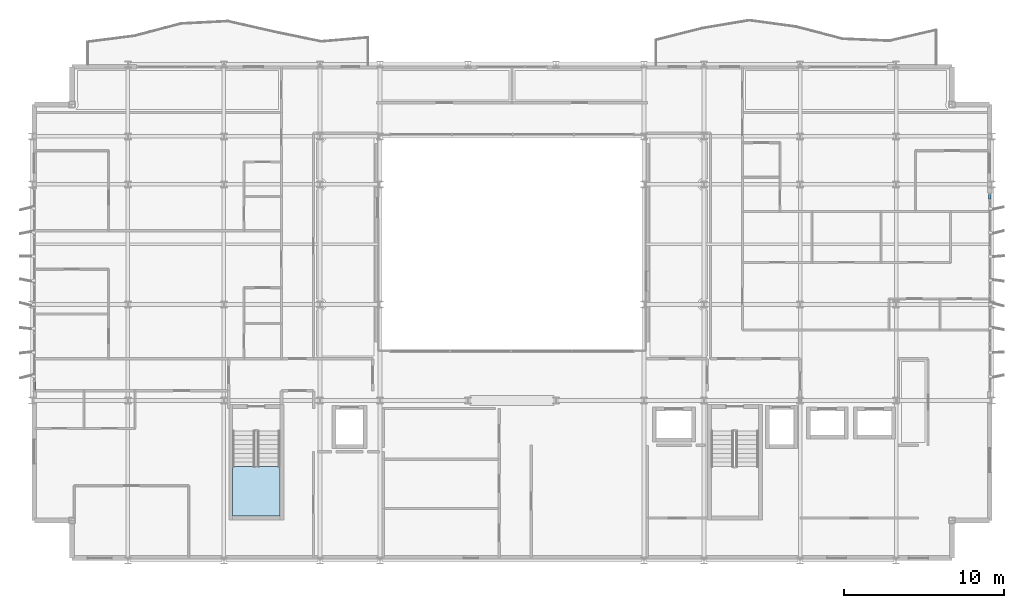
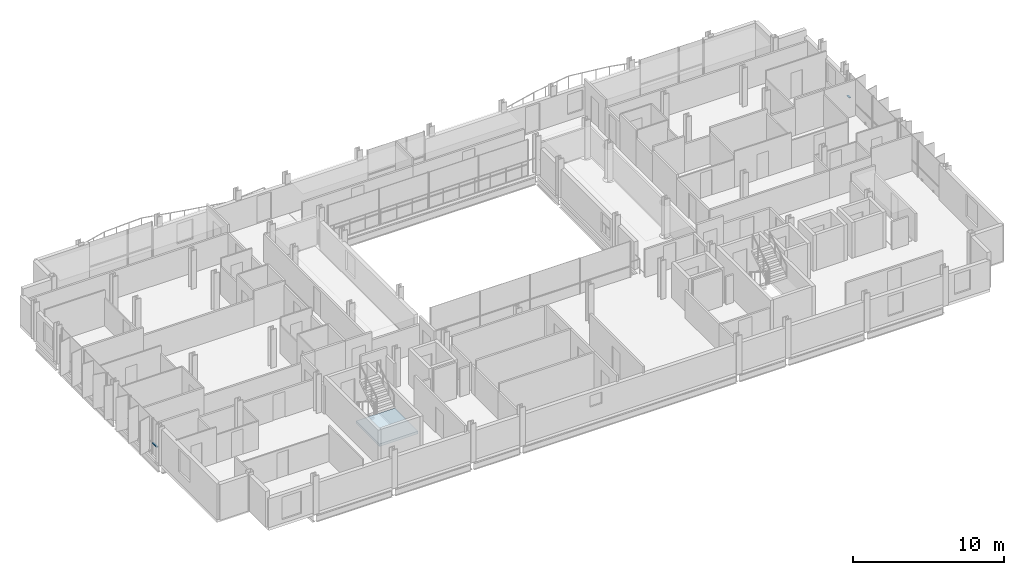
# One storey, part 23 of 38: 2 members, 1 slab, 3 elements without a shape of their own.
"""IFC4 building model written with IfcOpenShell, lengths in metres."""

from ifc_helpers import new_model, si_unit, direction, frame, origin, origin_2d, place, context, subcontext, project, spatial, polyline, hollow_rectangle, outline, extrude, material, layer, layer_set, material_profile, profile_set, type_object, element, aggregate, save


model = new_model("IFC4")

# Units and contexts
model_context = context("Model", 3, precision=1e-05, world=origin(), true_north=direction((0.0, 1.0)))
body_context = subcontext(model_context, "Body", "Model", "MODEL_VIEW")
ifc_project = project(units=[si_unit("LENGTHUNIT", "METRE"), si_unit("AREAUNIT", "SQUARE_METRE"), si_unit("VOLUMEUNIT", "CUBIC_METRE"), si_unit("PLANEANGLEUNIT", "RADIAN"), si_unit("MASSUNIT", "GRAM", prefix="KILO")], contexts=[model_context])

# Site, building, storey
site_placement = place(None, origin())
site = spatial("IfcSite", under=ifc_project, at=site_placement, CompositionType="ELEMENT")
building_placement = place(site_placement, origin())
building = spatial("IfcBuilding", under=site, at=building_placement, Name="Brevholm Reach", CompositionType="ELEMENT")
storey_placement = place(building_placement, frame((0.0, 0.0, 166.60009765625)))
storey = spatial("IfcBuildingStorey", under=building, at=storey_placement, Name="L50", CompositionType="ELEMENT", Elevation=166.60009765625)

# Curtain wall, member
ifc_material_1 = material(Name="Dark Anodised Aluminium 6063-T6 and Solar-Control Glass", Category="aluminium")
ifc_layer_1 = layer(ifc_material_1, 0.14990234375)
ifc_layer_set_1 = layer_set([ifc_layer_1], Name="Dark Anodised Aluminium 6063-T6 and Solar-Control Glass")
curtain_wall_type = type_object("IfcCurtainWallType", Name="CW-01", PredefinedType="NOTDEFINED", material=ifc_layer_set_1)
curtain_wall_1_placement = place(storey_placement, origin())
curtain_wall_1 = element("IfcCurtainWall", 1, at=curtain_wall_1_placement, inside=storey, type_object=curtain_wall_type, Name="L50 Curtain Wall CW-01", PredefinedType="NOTDEFINED")
ifc_material_2 = material(Name="Dark Anodised Aluminium 6063-T6", Category="aluminium")
ifc_material_profile = material_profile(ifc_material_2, hollow_rectangle(XDim=0.06494140625, YDim=0.14990234375, WallThickness=0.0048828125, InnerFilletRadius=0.0048828125, OuterFilletRadius=0.010009765625, at=origin_2d()), Name="RHS 150x65x5")
ifc_profile_set = profile_set([ifc_material_profile], Name="Dark Anodised Aluminium 6063-T6")
member_type = type_object("IfcMemberType", Name="CWT-150", PredefinedType="NOTDEFINED", material=ifc_profile_set)
member_1_placement = place(storey_placement, frame((0.14990234375, 11.1875, 0.89990234375), z_axis=(0.0, -1.0, 0.0), x_axis=(0.0, 0.0, 1.0)))
member_1 = element("IfcMember", 2, at=member_1_placement, type_object=member_type, Name="CT-150 Transom 5.1", ObjectType="TRANSOM", PredefinedType="USERDEFINED", context=body_context, shape_type="SweptSolid", body=[
    extrude(hollow_rectangle(XDim=0.06494140625, YDim=0.14990234375, WallThickness=0.0048828125, InnerFilletRadius=0.0048828125, OuterFilletRadius=0.010009765625, at=origin_2d()), origin(), (0.0, 0.0, 1.0), 0.572509765625),
])
aggregate(curtain_wall_1, [member_1])

curtain_wall_2_placement = place(storey_placement, origin())
curtain_wall_2 = element("IfcCurtainWall", 3, at=curtain_wall_2_placement, inside=storey, type_object=curtain_wall_type, Name="L50 Curtain Wall CW-01", PredefinedType="NOTDEFINED")
member_2_placement = place(storey_placement, frame((59.85009765625, 22.58251953125, 0.89990234375), z_axis=(0.0, 1.0, 0.0), x_axis=(0.0, 0.0, 1.0)))
member_2 = element("IfcMember", 4, at=member_2_placement, type_object=member_type, Name="CT-150 Transom 5.1", ObjectType="TRANSOM", PredefinedType="USERDEFINED", context=body_context, shape_type="SweptSolid", body=[
    extrude(hollow_rectangle(XDim=0.06494140625, YDim=0.14990234375, WallThickness=0.0048828125, InnerFilletRadius=0.0048828125, OuterFilletRadius=0.010009765625, at=origin_2d()), origin(), (0.0, 0.0, 1.0), 0.302490234375),
])
aggregate(curtain_wall_2, [member_2])

# Stair, slab
ifc_material_3 = material(Name="Precast Concrete C40/50", Category="concrete")
stair_type = type_object("IfcStairType", Name="STR-ESC-1400", PredefinedType="DOUBLE_RETURN_STAIR", material=ifc_material_3)
stair_placement = place(storey_placement, origin())
stair = element("IfcStair", 5, at=stair_placement, inside=storey, type_object=stair_type, Name="L50 ST-1", PredefinedType="DOUBLE_RETURN_STAIR")
ifc_material_4 = material(Name="Concrete C40/50", Category="concrete")
ifc_layer_2 = layer(ifc_material_4, 0.199951171875)
ifc_layer_set_2 = layer_set([ifc_layer_2], Name="Concrete C40/50")
slab_type = type_object("IfcSlabType", Name="SLB-LND-200", PredefinedType="LANDING", material=ifc_layer_set_2)
slab_placement = place(storey_placement, frame((0.0, 0.0, 1.349853515625)))
slab = element("IfcSlab", 6, at=slab_placement, type_object=slab_type, Name="ST-1 landing 1", PredefinedType="LANDING", context=body_context, shape_type="SweptSolid", body=[
    extrude(outline(polyline([(12.550048828125, 5.860107421875), (12.550048828125, 2.780029296875), (15.5, 2.780029296875), (15.5, 5.860107421875), (12.550048828125, 5.860107421875)])), origin(), (0.0, 0.0, 1.0), 0.199951171875),
])
aggregate(stair, [slab])

save(model, "model.ifc")
